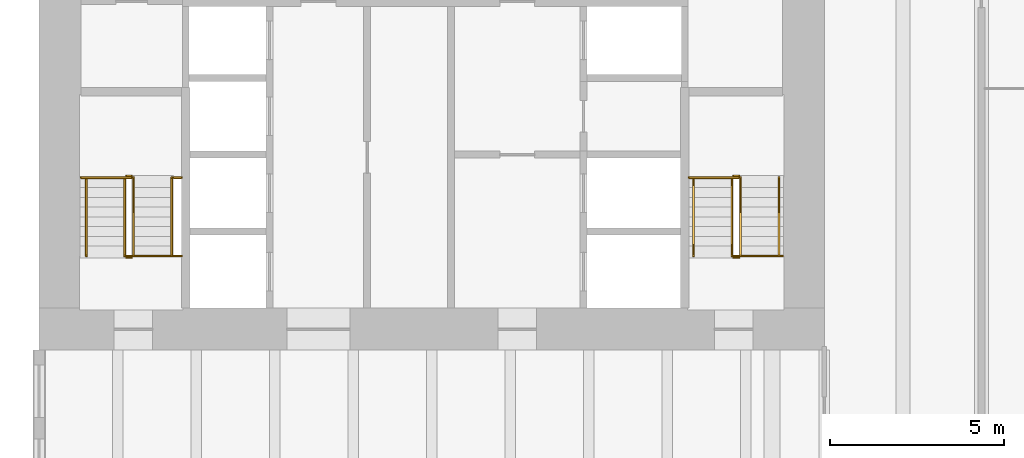
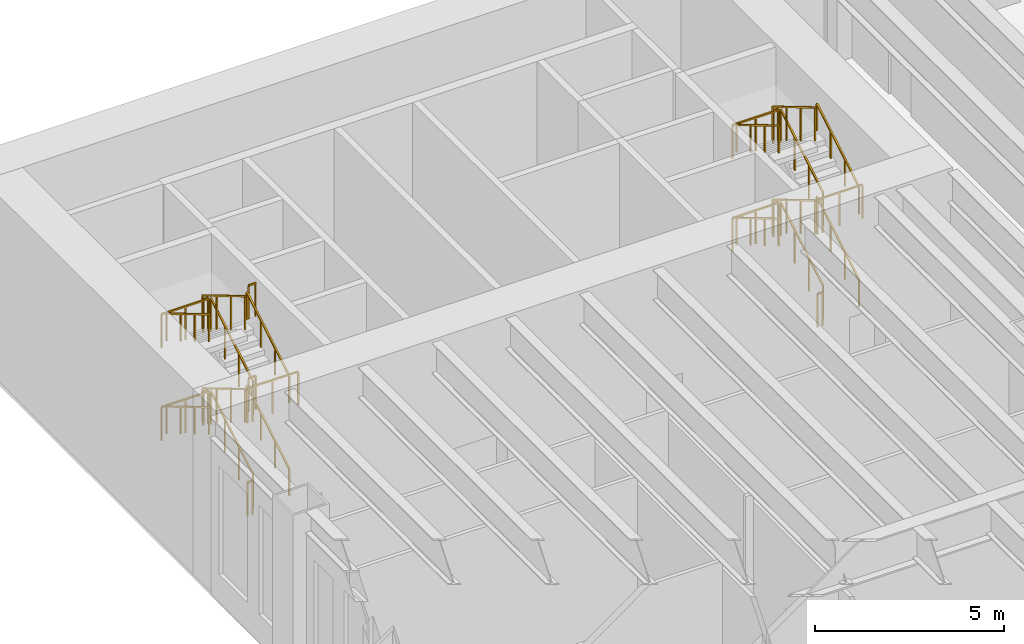
# One storey, part 18 of 19: 32 railings.
"""IFC4 building model written with IfcOpenShell, lengths in metres."""

from ifc_helpers import new_model, si_unit, direction, frame, origin, origin_2d, place, context, subcontext, project, spatial, rectangle, extrude, material, type_object, element, save


model = new_model("IFC4")

# Units and contexts
model_context = context("Model", 3, precision=1e-05, world=origin(), true_north=direction((0.0, 1.0)))
body_context = subcontext(model_context, "Body", "Model", "MODEL_VIEW")
ifc_project = project(units=[si_unit("LENGTHUNIT", "METRE"), si_unit("AREAUNIT", "SQUARE_METRE"), si_unit("VOLUMEUNIT", "CUBIC_METRE"), si_unit("PLANEANGLEUNIT", "RADIAN"), si_unit("MASSUNIT", "GRAM", prefix="KILO")], contexts=[model_context])

# Site, building, storey
site_placement = place(None, origin())
site = spatial("IfcSite", under=ifc_project, at=site_placement, CompositionType="ELEMENT")
building_placement = place(site_placement, origin())
building = spatial("IfcBuilding", under=site, at=building_placement, Name="Sennacour Bend Tower", CompositionType="ELEMENT")
storey_placement = place(building_placement, frame((0.0, 0.0, 8.0)))
storey = spatial("IfcBuildingStorey", under=building, at=storey_placement, Name="L01", CompositionType="ELEMENT", Elevation=8.0)

# Railings
ifc_material = material(Name="Stainless steel", Category="steel")
railing_type_1 = type_object("IfcRailingType", Name="RL-GUARD-1100", PredefinedType="GUARDRAIL", material=ifc_material)
railing_1_placement = place(storey_placement, frame((2.699951171875, 38.699951171875, 0.166748046875)))
element("IfcRailing", 1, at=railing_1_placement, inside=storey, type_object=railing_type_1, Name="L01 SB1 stair guard 1", PredefinedType="GUARDRAIL", context=body_context, shape_type="SweptSolid", body=[
    extrude(rectangle(XDim=0.048095703125, YDim=0.048095703125, at=origin_2d()), frame((0.0, 0.0, 1.076171875), z_axis=(0.0, 0.859305625298, 0.511462454469), x_axis=(-1.0, 0.0, 0.0)), (0.0, 0.0, 1.0), 2.606689453125),
    extrude(rectangle(XDim=0.0419921875, YDim=0.0419921875, at=origin_2d()), origin(), (0.0, 0.0, 1.0), 1.052001953125),
    extrude(rectangle(XDim=0.0419921875, YDim=0.0419921875, at=origin_2d()), frame((0.0, 0.74658203125, 0.4443359375)), (0.0, 0.0, 1.0), 1.052001953125),
    extrude(rectangle(XDim=0.0419921875, YDim=0.0419921875, at=origin_2d()), frame((0.0, 1.493408203125, 0.888916015625)), (0.0, 0.0, 1.0), 1.052001953125),
    extrude(rectangle(XDim=0.0419921875, YDim=0.0419921875, at=origin_2d()), frame((0.0, 2.239990234375, 1.333251953125)), (0.0, 0.0, 1.0), 1.052001953125),
])
railing_2_placement = place(storey_placement, frame((2.64990234375, 40.989990234375, 1.5)))
element("IfcRailing", 2, at=railing_2_placement, inside=storey, type_object=railing_type_1, Name="L01 SB1 stair guard 2", PredefinedType="GUARDRAIL", context=body_context, shape_type="SweptSolid", body=[
    extrude(rectangle(XDim=0.048095703125, YDim=0.048095703125, at=origin_2d()), frame((0.0, 0.0, 1.076171875), z_axis=(-1.0, 0.0, 0.0), x_axis=(0.0, -1.0, 0.0)), (0.0, 0.0, 1.0), 0.14990234375),
    extrude(rectangle(XDim=0.0419921875, YDim=0.0419921875, at=origin_2d()), origin(), (0.0, 0.0, 1.0), 1.052001953125),
    extrude(rectangle(XDim=0.0419921875, YDim=0.0419921875, at=origin_2d()), frame((-0.14990234375, 0.0, 0.0)), (0.0, 0.0, 1.0), 1.052001953125),
])
railing_3_placement = place(storey_placement, frame((2.449951171875, 40.93994140625, 1.666748046875)))
element("IfcRailing", 3, at=railing_3_placement, inside=storey, type_object=railing_type_1, Name="L01 SB1 stair guard 4", PredefinedType="GUARDRAIL", context=body_context, shape_type="SweptSolid", body=[
    extrude(rectangle(XDim=0.048095703125, YDim=0.048095703125, at=origin_2d()), frame((0.0, 0.0, 1.076171875), z_axis=(0.0, -0.859305625298, 0.511462454469), x_axis=(1.0, 0.0, 0.0)), (0.0, 0.0, 1.0), 2.606689453125),
    extrude(rectangle(XDim=0.0419921875, YDim=0.0419921875, at=origin_2d()), origin(), (0.0, 0.0, 1.0), 1.052001953125),
    extrude(rectangle(XDim=0.0419921875, YDim=0.0419921875, at=origin_2d()), frame((0.0, -0.74658203125, 0.4443359375)), (0.0, 0.0, 1.0), 1.052001953125),
    extrude(rectangle(XDim=0.0419921875, YDim=0.0419921875, at=origin_2d()), frame((0.0, -1.493408203125, 0.888916015625)), (0.0, 0.0, 1.0), 1.052001953125),
    extrude(rectangle(XDim=0.0419921875, YDim=0.0419921875, at=origin_2d()), frame((0.0, -2.239990234375, 1.333251953125)), (0.0, 0.0, 1.0), 1.052001953125),
])
railing_4_placement = place(storey_placement, frame((2.64990234375, 38.64990234375, 3.0)))
element("IfcRailing", 4, at=railing_4_placement, inside=storey, type_object=railing_type_1, Name="L01 SB1 stair guard 5", PredefinedType="GUARDRAIL", context=body_context, shape_type="SweptSolid", body=[
    extrude(rectangle(XDim=0.048095703125, YDim=0.048095703125, at=origin_2d()), frame((0.0, 0.0, 1.076171875), z_axis=(-1.0, 0.0, 0.0), x_axis=(0.0, -1.0, 0.0)), (0.0, 0.0, 1.0), 0.14990234375),
    extrude(rectangle(XDim=0.0419921875, YDim=0.0419921875, at=origin_2d()), origin(), (0.0, 0.0, 1.0), 1.052001953125),
    extrude(rectangle(XDim=0.0419921875, YDim=0.0419921875, at=origin_2d()), frame((-0.14990234375, 0.0, 0.0)), (0.0, 0.0, 1.0), 1.052001953125),
])
railing_5_placement = place(storey_placement, frame((2.699951171875, 38.699951171875, 3.166748046875)))
element("IfcRailing", 5, at=railing_5_placement, inside=storey, type_object=railing_type_1, Name="L01 SB1 stair guard 8", PredefinedType="GUARDRAIL", context=body_context, shape_type="SweptSolid", body=[
    extrude(rectangle(XDim=0.048095703125, YDim=0.048095703125, at=origin_2d()), frame((0.0, 0.0, 1.076171875), z_axis=(0.0, 0.859305625298, 0.511462454469), x_axis=(-1.0, 0.0, 0.0)), (0.0, 0.0, 1.0), 2.606689453125),
    extrude(rectangle(XDim=0.0419921875, YDim=0.0419921875, at=origin_2d()), origin(), (0.0, 0.0, 1.0), 1.052001953125),
    extrude(rectangle(XDim=0.0419921875, YDim=0.0419921875, at=origin_2d()), frame((0.0, 0.74658203125, 0.4443359375)), (0.0, 0.0, 1.0), 1.052001953125),
    extrude(rectangle(XDim=0.0419921875, YDim=0.0419921875, at=origin_2d()), frame((0.0, 1.493408203125, 0.888916015625)), (0.0, 0.0, 1.0), 1.052001953125),
    extrude(rectangle(XDim=0.0419921875, YDim=0.0419921875, at=origin_2d()), frame((0.0, 2.239990234375, 1.333251953125)), (0.0, 0.0, 1.0), 1.052001953125),
])
railing_6_placement = place(storey_placement, frame((2.64990234375, 40.989990234375, 4.5)))
element("IfcRailing", 6, at=railing_6_placement, inside=storey, type_object=railing_type_1, Name="L01 SB1 stair guard 9", PredefinedType="GUARDRAIL", context=body_context, shape_type="SweptSolid", body=[
    extrude(rectangle(XDim=0.048095703125, YDim=0.048095703125, at=origin_2d()), frame((0.0, 0.0, 1.076171875), z_axis=(-1.0, 0.0, 0.0), x_axis=(0.0, -1.0, 0.0)), (0.0, 0.0, 1.0), 0.14990234375),
    extrude(rectangle(XDim=0.0419921875, YDim=0.0419921875, at=origin_2d()), origin(), (0.0, 0.0, 1.0), 1.052001953125),
    extrude(rectangle(XDim=0.0419921875, YDim=0.0419921875, at=origin_2d()), frame((-0.14990234375, 0.0, 0.0)), (0.0, 0.0, 1.0), 1.052001953125),
])
railing_7_placement = place(storey_placement, frame((2.449951171875, 40.93994140625, 4.666748046875)))
element("IfcRailing", 7, at=railing_7_placement, inside=storey, type_object=railing_type_1, Name="L01 SB1 stair guard 11", PredefinedType="GUARDRAIL", context=body_context, shape_type="SweptSolid", body=[
    extrude(rectangle(XDim=0.048095703125, YDim=0.048095703125, at=origin_2d()), frame((0.0, 0.0, 1.076171875), z_axis=(0.0, -0.859305625298, 0.511462454469), x_axis=(1.0, 0.0, 0.0)), (0.0, 0.0, 1.0), 2.606689453125),
    extrude(rectangle(XDim=0.0419921875, YDim=0.0419921875, at=origin_2d()), origin(), (0.0, 0.0, 1.0), 1.052001953125),
    extrude(rectangle(XDim=0.0419921875, YDim=0.0419921875, at=origin_2d()), frame((0.0, -0.74658203125, 0.4443359375)), (0.0, 0.0, 1.0), 1.052001953125),
    extrude(rectangle(XDim=0.0419921875, YDim=0.0419921875, at=origin_2d()), frame((0.0, -1.493408203125, 0.888916015625)), (0.0, 0.0, 1.0), 1.052001953125),
    extrude(rectangle(XDim=0.0419921875, YDim=0.0419921875, at=origin_2d()), frame((0.0, -2.239990234375, 1.333251953125)), (0.0, 0.0, 1.0), 1.052001953125),
])
railing_8_placement = place(storey_placement, frame((2.64990234375, 38.64990234375, 0.0)))
element("IfcRailing", 8, at=railing_8_placement, inside=storey, type_object=railing_type_1, Name="L01 SB1 stair guard 12", PredefinedType="GUARDRAIL", context=body_context, shape_type="SweptSolid", body=[
    extrude(rectangle(XDim=0.048095703125, YDim=0.048095703125, at=origin_2d()), frame((0.0, 0.0, 1.076171875), z_axis=(-1.0, 0.0, 0.0), x_axis=(0.0, -1.0, 0.0)), (0.0, 0.0, 1.0), 0.14990234375),
    extrude(rectangle(XDim=0.0419921875, YDim=0.0419921875, at=origin_2d()), origin(), (0.0, 0.0, 1.0), 1.052001953125),
    extrude(rectangle(XDim=0.0419921875, YDim=0.0419921875, at=origin_2d()), frame((-0.14990234375, 0.0, 0.0)), (0.0, 0.0, 1.0), 1.052001953125),
])
railing_9_placement = place(storey_placement, frame((4.074951171875, 40.93994140625, 1.5)))
element("IfcRailing", 9, at=railing_9_placement, inside=storey, type_object=railing_type_1, Name="L01 SB1 landing edge guard 4", PredefinedType="GUARDRAIL", context=body_context, shape_type="SweptSolid", body=[
    extrude(rectangle(XDim=0.048095703125, YDim=0.048095703125, at=origin_2d()), frame((0.0, 0.0, 1.076171875), z_axis=(-1.0, 0.0, 0.0), x_axis=(0.0, -1.0, 0.0)), (0.0, 0.0, 1.0), 0.224853515625),
    extrude(rectangle(XDim=0.0419921875, YDim=0.0419921875, at=origin_2d()), origin(), (0.0, 0.0, 1.0), 1.052001953125),
    extrude(rectangle(XDim=0.0419921875, YDim=0.0419921875, at=origin_2d()), frame((-0.224853515625, 0.0, 0.0)), (0.0, 0.0, 1.0), 1.052001953125),
])
railing_10_placement = place(storey_placement, frame((2.64990234375, 40.93994140625, 1.5)))
element("IfcRailing", 10, at=railing_10_placement, inside=storey, type_object=railing_type_1, Name="L01 SB1 landing edge guard 5", PredefinedType="GUARDRAIL", context=body_context, shape_type="SweptSolid", body=[
    extrude(rectangle(XDim=0.048095703125, YDim=0.048095703125, at=origin_2d()), frame((0.0, 0.0, 1.076171875), z_axis=(-1.0, 0.0, 0.0), x_axis=(0.0, -1.0, 0.0)), (0.0, 0.0, 1.0), 1.449951171875),
    extrude(rectangle(XDim=0.0419921875, YDim=0.0419921875, at=origin_2d()), origin(), (0.0, 0.0, 1.0), 1.052001953125),
    extrude(rectangle(XDim=0.0419921875, YDim=0.0419921875, at=origin_2d()), frame((-0.72509765625, 0.0, 0.0)), (0.0, 0.0, 1.0), 1.052001953125),
    extrude(rectangle(XDim=0.0419921875, YDim=0.0419921875, at=origin_2d()), frame((-1.449951171875, 0.0, 0.0)), (0.0, 0.0, 1.0), 1.052001953125),
])
railing_11_placement = place(storey_placement, frame((2.5, 38.699951171875, 3.0)))
element("IfcRailing", 11, at=railing_11_placement, inside=storey, type_object=railing_type_1, Name="L01 SB1 landing edge guard 6", PredefinedType="GUARDRAIL", context=body_context, shape_type="SweptSolid", body=[
    extrude(rectangle(XDim=0.048095703125, YDim=0.048095703125, at=origin_2d()), frame((0.0, 0.0, 1.076171875), z_axis=(1.0, 0.0, 0.0), x_axis=(0.0, 1.0, 0.0)), (0.0, 0.0, 1.0), 1.574951171875),
    extrude(rectangle(XDim=0.0419921875, YDim=0.0419921875, at=origin_2d()), origin(), (0.0, 0.0, 1.0), 1.052001953125),
    extrude(rectangle(XDim=0.0419921875, YDim=0.0419921875, at=origin_2d()), frame((0.78759765625, 0.0, 0.0)), (0.0, 0.0, 1.0), 1.052001953125),
    extrude(rectangle(XDim=0.0419921875, YDim=0.0419921875, at=origin_2d()), frame((1.574951171875, 0.0, 0.0)), (0.0, 0.0, 1.0), 1.052001953125),
])
railing_12_placement = place(storey_placement, frame((4.074951171875, 40.93994140625, 4.5)))
element("IfcRailing", 12, at=railing_12_placement, inside=storey, type_object=railing_type_1, Name="L01 SB1 landing edge guard 7", PredefinedType="GUARDRAIL", context=body_context, shape_type="SweptSolid", body=[
    extrude(rectangle(XDim=0.048095703125, YDim=0.048095703125, at=origin_2d()), frame((0.0, 0.0, 1.076171875), z_axis=(-1.0, 0.0, 0.0), x_axis=(0.0, -1.0, 0.0)), (0.0, 0.0, 1.0), 0.224853515625),
    extrude(rectangle(XDim=0.0419921875, YDim=0.0419921875, at=origin_2d()), origin(), (0.0, 0.0, 1.0), 1.052001953125),
    extrude(rectangle(XDim=0.0419921875, YDim=0.0419921875, at=origin_2d()), frame((-0.224853515625, 0.0, 0.0)), (0.0, 0.0, 1.0), 1.052001953125),
])
railing_13_placement = place(storey_placement, frame((2.64990234375, 40.93994140625, 4.5)))
element("IfcRailing", 13, at=railing_13_placement, inside=storey, type_object=railing_type_1, Name="L01 SB1 landing edge guard 8", PredefinedType="GUARDRAIL", context=body_context, shape_type="SweptSolid", body=[
    extrude(rectangle(XDim=0.048095703125, YDim=0.048095703125, at=origin_2d()), frame((0.0, 0.0, 1.076171875), z_axis=(-1.0, 0.0, 0.0), x_axis=(0.0, -1.0, 0.0)), (0.0, 0.0, 1.0), 1.449951171875),
    extrude(rectangle(XDim=0.0419921875, YDim=0.0419921875, at=origin_2d()), origin(), (0.0, 0.0, 1.0), 1.052001953125),
    extrude(rectangle(XDim=0.0419921875, YDim=0.0419921875, at=origin_2d()), frame((-0.72509765625, 0.0, 0.0)), (0.0, 0.0, 1.0), 1.052001953125),
    extrude(rectangle(XDim=0.0419921875, YDim=0.0419921875, at=origin_2d()), frame((-1.449951171875, 0.0, 0.0)), (0.0, 0.0, 1.0), 1.052001953125),
])
railing_14_placement = place(storey_placement, frame((20.10009765625, 38.699951171875, 0.166748046875)))
element("IfcRailing", 14, at=railing_14_placement, inside=storey, type_object=railing_type_1, Name="L01 SB2 stair guard 1", PredefinedType="GUARDRAIL", context=body_context, shape_type="SweptSolid", body=[
    extrude(rectangle(XDim=0.048095703125, YDim=0.048095703125, at=origin_2d()), frame((0.0, 0.0, 1.076171875), z_axis=(0.0, 0.859305625298, 0.511462454469), x_axis=(-1.0, 0.0, 0.0)), (0.0, 0.0, 1.0), 2.606689453125),
    extrude(rectangle(XDim=0.0419921875, YDim=0.0419921875, at=origin_2d()), origin(), (0.0, 0.0, 1.0), 1.052001953125),
    extrude(rectangle(XDim=0.0419921875, YDim=0.0419921875, at=origin_2d()), frame((0.0, 0.74658203125, 0.4443359375)), (0.0, 0.0, 1.0), 1.052001953125),
    extrude(rectangle(XDim=0.0419921875, YDim=0.0419921875, at=origin_2d()), frame((0.0, 1.493408203125, 0.888916015625)), (0.0, 0.0, 1.0), 1.052001953125),
    extrude(rectangle(XDim=0.0419921875, YDim=0.0419921875, at=origin_2d()), frame((0.0, 2.239990234375, 1.333251953125)), (0.0, 0.0, 1.0), 1.052001953125),
])
railing_15_placement = place(storey_placement, frame((20.050048828125, 40.989990234375, 1.5)))
element("IfcRailing", 15, at=railing_15_placement, inside=storey, type_object=railing_type_1, Name="L01 SB2 stair guard 2", PredefinedType="GUARDRAIL", context=body_context, shape_type="SweptSolid", body=[
    extrude(rectangle(XDim=0.048095703125, YDim=0.048095703125, at=origin_2d()), frame((0.0, 0.0, 1.076171875), z_axis=(-1.0, 0.0, 0.0), x_axis=(0.0, -1.0, 0.0)), (0.0, 0.0, 1.0), 0.150146484375),
    extrude(rectangle(XDim=0.0419921875, YDim=0.0419921875, at=origin_2d()), origin(), (0.0, 0.0, 1.0), 1.052001953125),
    extrude(rectangle(XDim=0.0419921875, YDim=0.0419921875, at=origin_2d()), frame((-0.150146484375, 0.0, 0.0)), (0.0, 0.0, 1.0), 1.052001953125),
])
railing_16_placement = place(storey_placement, frame((19.85009765625, 40.93994140625, 1.666748046875)))
element("IfcRailing", 16, at=railing_16_placement, inside=storey, type_object=railing_type_1, Name="L01 SB2 stair guard 4", PredefinedType="GUARDRAIL", context=body_context, shape_type="SweptSolid", body=[
    extrude(rectangle(XDim=0.048095703125, YDim=0.048095703125, at=origin_2d()), frame((0.0, 0.0, 1.076171875), z_axis=(0.0, -0.859305625298, 0.511462454469), x_axis=(1.0, 0.0, 0.0)), (0.0, 0.0, 1.0), 2.606689453125),
    extrude(rectangle(XDim=0.0419921875, YDim=0.0419921875, at=origin_2d()), origin(), (0.0, 0.0, 1.0), 1.052001953125),
    extrude(rectangle(XDim=0.0419921875, YDim=0.0419921875, at=origin_2d()), frame((0.0, -0.74658203125, 0.4443359375)), (0.0, 0.0, 1.0), 1.052001953125),
    extrude(rectangle(XDim=0.0419921875, YDim=0.0419921875, at=origin_2d()), frame((0.0, -1.493408203125, 0.888916015625)), (0.0, 0.0, 1.0), 1.052001953125),
    extrude(rectangle(XDim=0.0419921875, YDim=0.0419921875, at=origin_2d()), frame((0.0, -2.239990234375, 1.333251953125)), (0.0, 0.0, 1.0), 1.052001953125),
])
railing_17_placement = place(storey_placement, frame((20.050048828125, 38.64990234375, 3.0)))
element("IfcRailing", 17, at=railing_17_placement, inside=storey, type_object=railing_type_1, Name="L01 SB2 stair guard 5", PredefinedType="GUARDRAIL", context=body_context, shape_type="SweptSolid", body=[
    extrude(rectangle(XDim=0.048095703125, YDim=0.048095703125, at=origin_2d()), frame((0.0, 0.0, 1.076171875), z_axis=(-1.0, 0.0, 0.0), x_axis=(0.0, -1.0, 0.0)), (0.0, 0.0, 1.0), 0.150146484375),
    extrude(rectangle(XDim=0.0419921875, YDim=0.0419921875, at=origin_2d()), origin(), (0.0, 0.0, 1.0), 1.052001953125),
    extrude(rectangle(XDim=0.0419921875, YDim=0.0419921875, at=origin_2d()), frame((-0.150146484375, 0.0, 0.0)), (0.0, 0.0, 1.0), 1.052001953125),
])
railing_18_placement = place(storey_placement, frame((20.10009765625, 38.699951171875, 3.166748046875)))
element("IfcRailing", 18, at=railing_18_placement, inside=storey, type_object=railing_type_1, Name="L01 SB2 stair guard 8", PredefinedType="GUARDRAIL", context=body_context, shape_type="SweptSolid", body=[
    extrude(rectangle(XDim=0.048095703125, YDim=0.048095703125, at=origin_2d()), frame((0.0, 0.0, 1.076171875), z_axis=(0.0, 0.859305625298, 0.511462454469), x_axis=(-1.0, 0.0, 0.0)), (0.0, 0.0, 1.0), 2.606689453125),
    extrude(rectangle(XDim=0.0419921875, YDim=0.0419921875, at=origin_2d()), origin(), (0.0, 0.0, 1.0), 1.052001953125),
    extrude(rectangle(XDim=0.0419921875, YDim=0.0419921875, at=origin_2d()), frame((0.0, 0.74658203125, 0.4443359375)), (0.0, 0.0, 1.0), 1.052001953125),
    extrude(rectangle(XDim=0.0419921875, YDim=0.0419921875, at=origin_2d()), frame((0.0, 1.493408203125, 0.888916015625)), (0.0, 0.0, 1.0), 1.052001953125),
    extrude(rectangle(XDim=0.0419921875, YDim=0.0419921875, at=origin_2d()), frame((0.0, 2.239990234375, 1.333251953125)), (0.0, 0.0, 1.0), 1.052001953125),
])
railing_19_placement = place(storey_placement, frame((20.050048828125, 40.989990234375, 4.5)))
element("IfcRailing", 19, at=railing_19_placement, inside=storey, type_object=railing_type_1, Name="L01 SB2 stair guard 9", PredefinedType="GUARDRAIL", context=body_context, shape_type="SweptSolid", body=[
    extrude(rectangle(XDim=0.048095703125, YDim=0.048095703125, at=origin_2d()), frame((0.0, 0.0, 1.076171875), z_axis=(-1.0, 0.0, 0.0), x_axis=(0.0, -1.0, 0.0)), (0.0, 0.0, 1.0), 0.150146484375),
    extrude(rectangle(XDim=0.0419921875, YDim=0.0419921875, at=origin_2d()), origin(), (0.0, 0.0, 1.0), 1.052001953125),
    extrude(rectangle(XDim=0.0419921875, YDim=0.0419921875, at=origin_2d()), frame((-0.150146484375, 0.0, 0.0)), (0.0, 0.0, 1.0), 1.052001953125),
])
railing_20_placement = place(storey_placement, frame((19.85009765625, 40.93994140625, 4.666748046875)))
element("IfcRailing", 20, at=railing_20_placement, inside=storey, type_object=railing_type_1, Name="L01 SB2 stair guard 11", PredefinedType="GUARDRAIL", context=body_context, shape_type="SweptSolid", body=[
    extrude(rectangle(XDim=0.048095703125, YDim=0.048095703125, at=origin_2d()), frame((0.0, 0.0, 1.076171875), z_axis=(0.0, -0.859305625298, 0.511462454469), x_axis=(1.0, 0.0, 0.0)), (0.0, 0.0, 1.0), 2.606689453125),
    extrude(rectangle(XDim=0.0419921875, YDim=0.0419921875, at=origin_2d()), origin(), (0.0, 0.0, 1.0), 1.052001953125),
    extrude(rectangle(XDim=0.0419921875, YDim=0.0419921875, at=origin_2d()), frame((0.0, -0.74658203125, 0.4443359375)), (0.0, 0.0, 1.0), 1.052001953125),
    extrude(rectangle(XDim=0.0419921875, YDim=0.0419921875, at=origin_2d()), frame((0.0, -1.493408203125, 0.888916015625)), (0.0, 0.0, 1.0), 1.052001953125),
    extrude(rectangle(XDim=0.0419921875, YDim=0.0419921875, at=origin_2d()), frame((0.0, -2.239990234375, 1.333251953125)), (0.0, 0.0, 1.0), 1.052001953125),
])
railing_21_placement = place(storey_placement, frame((20.050048828125, 38.64990234375, 0.0)))
element("IfcRailing", 21, at=railing_21_placement, inside=storey, type_object=railing_type_1, Name="L01 SB2 stair guard 12", PredefinedType="GUARDRAIL", context=body_context, shape_type="SweptSolid", body=[
    extrude(rectangle(XDim=0.048095703125, YDim=0.048095703125, at=origin_2d()), frame((0.0, 0.0, 1.076171875), z_axis=(-1.0, 0.0, 0.0), x_axis=(0.0, -1.0, 0.0)), (0.0, 0.0, 1.0), 0.150146484375),
    extrude(rectangle(XDim=0.0419921875, YDim=0.0419921875, at=origin_2d()), origin(), (0.0, 0.0, 1.0), 1.052001953125),
    extrude(rectangle(XDim=0.0419921875, YDim=0.0419921875, at=origin_2d()), frame((-0.150146484375, 0.0, 0.0)), (0.0, 0.0, 1.0), 1.052001953125),
])
railing_22_placement = place(storey_placement, frame((20.050048828125, 40.93994140625, 1.5)))
element("IfcRailing", 22, at=railing_22_placement, inside=storey, type_object=railing_type_1, Name="L01 SB2 landing edge guard 4", PredefinedType="GUARDRAIL", context=body_context, shape_type="SweptSolid", body=[
    extrude(rectangle(XDim=0.048095703125, YDim=0.048095703125, at=origin_2d()), frame((0.0, 0.0, 1.076171875), z_axis=(-1.0, 0.0, 0.0), x_axis=(0.0, -1.0, 0.0)), (0.0, 0.0, 1.0), 1.425048828125),
    extrude(rectangle(XDim=0.0419921875, YDim=0.0419921875, at=origin_2d()), origin(), (0.0, 0.0, 1.0), 1.052001953125),
    extrude(rectangle(XDim=0.0419921875, YDim=0.0419921875, at=origin_2d()), frame((-0.71240234375, 0.0, 0.0)), (0.0, 0.0, 1.0), 1.052001953125),
    extrude(rectangle(XDim=0.0419921875, YDim=0.0419921875, at=origin_2d()), frame((-1.425048828125, 0.0, 0.0)), (0.0, 0.0, 1.0), 1.052001953125),
])
railing_23_placement = place(storey_placement, frame((19.89990234375, 38.699951171875, 3.0)))
element("IfcRailing", 23, at=railing_23_placement, inside=storey, type_object=railing_type_1, Name="L01 SB2 landing edge guard 5", PredefinedType="GUARDRAIL", context=body_context, shape_type="SweptSolid", body=[
    extrude(rectangle(XDim=0.048095703125, YDim=0.048095703125, at=origin_2d()), frame((0.0, 0.0, 1.076171875), z_axis=(1.0, 0.0, 0.0), x_axis=(0.0, 1.0, 0.0)), (0.0, 0.0, 1.0), 1.400146484375),
    extrude(rectangle(XDim=0.0419921875, YDim=0.0419921875, at=origin_2d()), origin(), (0.0, 0.0, 1.0), 1.052001953125),
    extrude(rectangle(XDim=0.0419921875, YDim=0.0419921875, at=origin_2d()), frame((0.7001953125, 0.0, 0.0)), (0.0, 0.0, 1.0), 1.052001953125),
    extrude(rectangle(XDim=0.0419921875, YDim=0.0419921875, at=origin_2d()), frame((1.400146484375, 0.0, 0.0)), (0.0, 0.0, 1.0), 1.052001953125),
])
railing_24_placement = place(storey_placement, frame((20.050048828125, 40.93994140625, 4.5)))
element("IfcRailing", 24, at=railing_24_placement, inside=storey, type_object=railing_type_1, Name="L01 SB2 landing edge guard 6", PredefinedType="GUARDRAIL", context=body_context, shape_type="SweptSolid", body=[
    extrude(rectangle(XDim=0.048095703125, YDim=0.048095703125, at=origin_2d()), frame((0.0, 0.0, 1.076171875), z_axis=(-1.0, 0.0, 0.0), x_axis=(0.0, -1.0, 0.0)), (0.0, 0.0, 1.0), 1.425048828125),
    extrude(rectangle(XDim=0.0419921875, YDim=0.0419921875, at=origin_2d()), origin(), (0.0, 0.0, 1.0), 1.052001953125),
    extrude(rectangle(XDim=0.0419921875, YDim=0.0419921875, at=origin_2d()), frame((-0.71240234375, 0.0, 0.0)), (0.0, 0.0, 1.0), 1.052001953125),
    extrude(rectangle(XDim=0.0419921875, YDim=0.0419921875, at=origin_2d()), frame((-1.425048828125, 0.0, 0.0)), (0.0, 0.0, 1.0), 1.052001953125),
])
railing_type_2 = type_object("IfcRailingType", Name="RL-HANDRAIL-900", PredefinedType="HANDRAIL", material=ifc_material)
railing_25_placement = place(storey_placement, frame((3.800048828125, 38.699951171875, 0.166748046875)))
element("IfcRailing", 25, at=railing_25_placement, inside=storey, type_object=railing_type_2, Name="L01 SB1 stair handrail 1", PredefinedType="HANDRAIL", context=body_context, shape_type="SweptSolid", body=[
    extrude(rectangle(XDim=0.048095703125, YDim=0.048095703125, at=origin_2d()), frame((0.0, 0.0, 0.8759765625), z_axis=(0.0, 0.859305625298, 0.511462454469), x_axis=(-1.0, 0.0, 0.0)), (0.0, 0.0, 1.0), 2.606689453125),
    extrude(rectangle(XDim=0.0419921875, YDim=0.0419921875, at=origin_2d()), origin(), (0.0, 0.0, 1.0), 0.851806640625),
    extrude(rectangle(XDim=0.0419921875, YDim=0.0419921875, at=origin_2d()), frame((0.0, 0.74658203125, 0.4443359375)), (0.0, 0.0, 1.0), 0.851806640625),
    extrude(rectangle(XDim=0.0419921875, YDim=0.0419921875, at=origin_2d()), frame((0.0, 1.493408203125, 0.888916015625)), (0.0, 0.0, 1.0), 0.851806640625),
    extrude(rectangle(XDim=0.0419921875, YDim=0.0419921875, at=origin_2d()), frame((0.0, 2.239990234375, 1.333251953125)), (0.0, 0.0, 1.0), 0.851806640625),
])
railing_26_placement = place(storey_placement, frame((1.35009765625, 40.93994140625, 1.666748046875)))
element("IfcRailing", 26, at=railing_26_placement, inside=storey, type_object=railing_type_2, Name="L01 SB1 stair handrail 2", PredefinedType="HANDRAIL", context=body_context, shape_type="SweptSolid", body=[
    extrude(rectangle(XDim=0.048095703125, YDim=0.048095703125, at=origin_2d()), frame((0.0, 0.0, 0.8759765625), z_axis=(0.0, -0.859305625298, 0.511462454469), x_axis=(1.0, 0.0, 0.0)), (0.0, 0.0, 1.0), 2.606689453125),
    extrude(rectangle(XDim=0.0419921875, YDim=0.0419921875, at=origin_2d()), origin(), (0.0, 0.0, 1.0), 0.851806640625),
    extrude(rectangle(XDim=0.0419921875, YDim=0.0419921875, at=origin_2d()), frame((0.0, -0.74658203125, 0.4443359375)), (0.0, 0.0, 1.0), 0.851806640625),
    extrude(rectangle(XDim=0.0419921875, YDim=0.0419921875, at=origin_2d()), frame((0.0, -1.493408203125, 0.888916015625)), (0.0, 0.0, 1.0), 0.851806640625),
    extrude(rectangle(XDim=0.0419921875, YDim=0.0419921875, at=origin_2d()), frame((0.0, -2.239990234375, 1.333251953125)), (0.0, 0.0, 1.0), 0.851806640625),
])
railing_27_placement = place(storey_placement, frame((3.800048828125, 38.699951171875, 3.166748046875)))
element("IfcRailing", 27, at=railing_27_placement, inside=storey, type_object=railing_type_2, Name="L01 SB1 stair handrail 3", PredefinedType="HANDRAIL", context=body_context, shape_type="SweptSolid", body=[
    extrude(rectangle(XDim=0.048095703125, YDim=0.048095703125, at=origin_2d()), frame((0.0, 0.0, 0.8759765625), z_axis=(0.0, 0.859305625298, 0.511462454469), x_axis=(-1.0, 0.0, 0.0)), (0.0, 0.0, 1.0), 2.606689453125),
    extrude(rectangle(XDim=0.0419921875, YDim=0.0419921875, at=origin_2d()), origin(), (0.0, 0.0, 1.0), 0.851806640625),
    extrude(rectangle(XDim=0.0419921875, YDim=0.0419921875, at=origin_2d()), frame((0.0, 0.74658203125, 0.4443359375)), (0.0, 0.0, 1.0), 0.851806640625),
    extrude(rectangle(XDim=0.0419921875, YDim=0.0419921875, at=origin_2d()), frame((0.0, 1.493408203125, 0.888916015625)), (0.0, 0.0, 1.0), 0.851806640625),
    extrude(rectangle(XDim=0.0419921875, YDim=0.0419921875, at=origin_2d()), frame((0.0, 2.239990234375, 1.333251953125)), (0.0, 0.0, 1.0), 0.851806640625),
])
railing_28_placement = place(storey_placement, frame((1.35009765625, 40.93994140625, 4.666748046875)))
element("IfcRailing", 28, at=railing_28_placement, inside=storey, type_object=railing_type_2, Name="L01 SB1 stair handrail 4", PredefinedType="HANDRAIL", context=body_context, shape_type="SweptSolid", body=[
    extrude(rectangle(XDim=0.048095703125, YDim=0.048095703125, at=origin_2d()), frame((0.0, 0.0, 0.8759765625), z_axis=(0.0, -0.859305625298, 0.511462454469), x_axis=(1.0, 0.0, 0.0)), (0.0, 0.0, 1.0), 2.606689453125),
    extrude(rectangle(XDim=0.0419921875, YDim=0.0419921875, at=origin_2d()), origin(), (0.0, 0.0, 1.0), 0.851806640625),
    extrude(rectangle(XDim=0.0419921875, YDim=0.0419921875, at=origin_2d()), frame((0.0, -0.74658203125, 0.4443359375)), (0.0, 0.0, 1.0), 0.851806640625),
    extrude(rectangle(XDim=0.0419921875, YDim=0.0419921875, at=origin_2d()), frame((0.0, -1.493408203125, 0.888916015625)), (0.0, 0.0, 1.0), 0.851806640625),
    extrude(rectangle(XDim=0.0419921875, YDim=0.0419921875, at=origin_2d()), frame((0.0, -2.239990234375, 1.333251953125)), (0.0, 0.0, 1.0), 0.851806640625),
])
railing_29_placement = place(storey_placement, frame((21.199951171875, 38.699951171875, 0.166748046875)))
element("IfcRailing", 29, at=railing_29_placement, inside=storey, type_object=railing_type_2, Name="L01 SB2 stair handrail 1", PredefinedType="HANDRAIL", context=body_context, shape_type="SweptSolid", body=[
    extrude(rectangle(XDim=0.048095703125, YDim=0.048095703125, at=origin_2d()), frame((0.0, 0.0, 0.8759765625), z_axis=(0.0, 0.859305625298, 0.511462454469), x_axis=(-1.0, 0.0, 0.0)), (0.0, 0.0, 1.0), 2.606689453125),
    extrude(rectangle(XDim=0.0419921875, YDim=0.0419921875, at=origin_2d()), origin(), (0.0, 0.0, 1.0), 0.851806640625),
    extrude(rectangle(XDim=0.0419921875, YDim=0.0419921875, at=origin_2d()), frame((0.0, 0.74658203125, 0.4443359375)), (0.0, 0.0, 1.0), 0.851806640625),
    extrude(rectangle(XDim=0.0419921875, YDim=0.0419921875, at=origin_2d()), frame((0.0, 1.493408203125, 0.888916015625)), (0.0, 0.0, 1.0), 0.851806640625),
    extrude(rectangle(XDim=0.0419921875, YDim=0.0419921875, at=origin_2d()), frame((0.0, 2.239990234375, 1.333251953125)), (0.0, 0.0, 1.0), 0.851806640625),
])
railing_30_placement = place(storey_placement, frame((18.75, 40.93994140625, 1.666748046875)))
element("IfcRailing", 30, at=railing_30_placement, inside=storey, type_object=railing_type_2, Name="L01 SB2 stair handrail 2", PredefinedType="HANDRAIL", context=body_context, shape_type="SweptSolid", body=[
    extrude(rectangle(XDim=0.048095703125, YDim=0.048095703125, at=origin_2d()), frame((0.0, 0.0, 0.8759765625), z_axis=(0.0, -0.859305625298, 0.511462454469), x_axis=(1.0, 0.0, 0.0)), (0.0, 0.0, 1.0), 2.606689453125),
    extrude(rectangle(XDim=0.0419921875, YDim=0.0419921875, at=origin_2d()), origin(), (0.0, 0.0, 1.0), 0.851806640625),
    extrude(rectangle(XDim=0.0419921875, YDim=0.0419921875, at=origin_2d()), frame((0.0, -0.74658203125, 0.4443359375)), (0.0, 0.0, 1.0), 0.851806640625),
    extrude(rectangle(XDim=0.0419921875, YDim=0.0419921875, at=origin_2d()), frame((0.0, -1.493408203125, 0.888916015625)), (0.0, 0.0, 1.0), 0.851806640625),
    extrude(rectangle(XDim=0.0419921875, YDim=0.0419921875, at=origin_2d()), frame((0.0, -2.239990234375, 1.333251953125)), (0.0, 0.0, 1.0), 0.851806640625),
])
railing_31_placement = place(storey_placement, frame((21.199951171875, 38.699951171875, 3.166748046875)))
element("IfcRailing", 31, at=railing_31_placement, inside=storey, type_object=railing_type_2, Name="L01 SB2 stair handrail 3", PredefinedType="HANDRAIL", context=body_context, shape_type="SweptSolid", body=[
    extrude(rectangle(XDim=0.048095703125, YDim=0.048095703125, at=origin_2d()), frame((0.0, 0.0, 0.8759765625), z_axis=(0.0, 0.859305625298, 0.511462454469), x_axis=(-1.0, 0.0, 0.0)), (0.0, 0.0, 1.0), 2.606689453125),
    extrude(rectangle(XDim=0.0419921875, YDim=0.0419921875, at=origin_2d()), origin(), (0.0, 0.0, 1.0), 0.851806640625),
    extrude(rectangle(XDim=0.0419921875, YDim=0.0419921875, at=origin_2d()), frame((0.0, 0.74658203125, 0.4443359375)), (0.0, 0.0, 1.0), 0.851806640625),
    extrude(rectangle(XDim=0.0419921875, YDim=0.0419921875, at=origin_2d()), frame((0.0, 1.493408203125, 0.888916015625)), (0.0, 0.0, 1.0), 0.851806640625),
    extrude(rectangle(XDim=0.0419921875, YDim=0.0419921875, at=origin_2d()), frame((0.0, 2.239990234375, 1.333251953125)), (0.0, 0.0, 1.0), 0.851806640625),
])
railing_32_placement = place(storey_placement, frame((18.75, 40.93994140625, 4.666748046875)))
element("IfcRailing", 32, at=railing_32_placement, inside=storey, type_object=railing_type_2, Name="L01 SB2 stair handrail 4", PredefinedType="HANDRAIL", context=body_context, shape_type="SweptSolid", body=[
    extrude(rectangle(XDim=0.048095703125, YDim=0.048095703125, at=origin_2d()), frame((0.0, 0.0, 0.8759765625), z_axis=(0.0, -0.859305625298, 0.511462454469), x_axis=(1.0, 0.0, 0.0)), (0.0, 0.0, 1.0), 2.606689453125),
    extrude(rectangle(XDim=0.0419921875, YDim=0.0419921875, at=origin_2d()), origin(), (0.0, 0.0, 1.0), 0.851806640625),
    extrude(rectangle(XDim=0.0419921875, YDim=0.0419921875, at=origin_2d()), frame((0.0, -0.74658203125, 0.4443359375)), (0.0, 0.0, 1.0), 0.851806640625),
    extrude(rectangle(XDim=0.0419921875, YDim=0.0419921875, at=origin_2d()), frame((0.0, -1.493408203125, 0.888916015625)), (0.0, 0.0, 1.0), 0.851806640625),
    extrude(rectangle(XDim=0.0419921875, YDim=0.0419921875, at=origin_2d()), frame((0.0, -2.239990234375, 1.333251953125)), (0.0, 0.0, 1.0), 0.851806640625),
])

save(model, "model.ifc")
